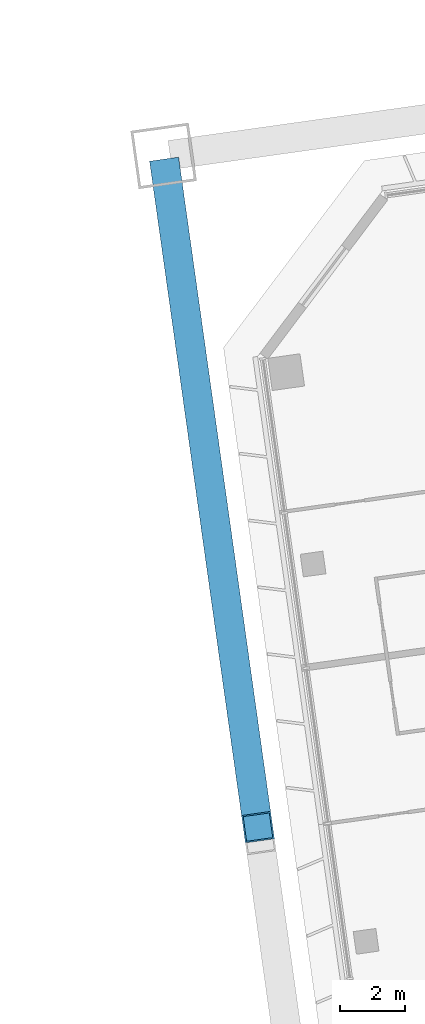
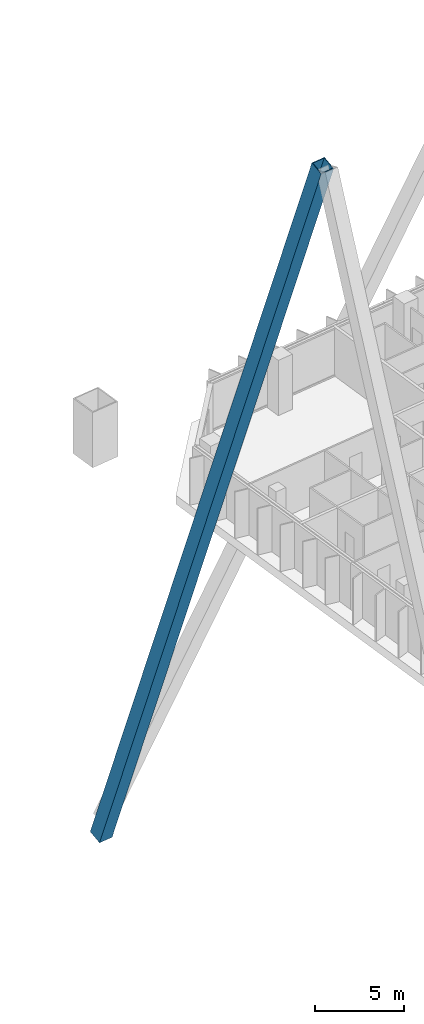
# One storey, part 24 of 49: 1 member.
"""IFC4 building model written with IfcOpenShell, lengths in metres."""

from ifc_helpers import new_model, si_unit, direction, frame, origin, origin_2d, place, context, subcontext, project, spatial, hollow_rectangle, extrude, material, material_profile, profile_set, type_object, element, save


model = new_model("IFC4")

# Units and contexts
model_context = context("Model", 3, precision=1e-05, world=origin(), true_north=direction((0.0, 1.0)))
body_context = subcontext(model_context, "Body", "Model", "MODEL_VIEW")
ifc_project = project(units=[si_unit("LENGTHUNIT", "METRE"), si_unit("AREAUNIT", "SQUARE_METRE"), si_unit("VOLUMEUNIT", "CUBIC_METRE"), si_unit("PLANEANGLEUNIT", "RADIAN"), si_unit("MASSUNIT", "GRAM", prefix="KILO")], contexts=[model_context])

# Site, building, storey
site_placement = place(None, origin())
site = spatial("IfcSite", under=ifc_project, at=site_placement, CompositionType="ELEMENT")
building_placement = place(site_placement, origin())
building = spatial("IfcBuilding", under=site, at=building_placement, Name="Mirante Cascada Hotel Towers", CompositionType="ELEMENT")
storey_placement = place(building_placement, frame((0.0, 0.0, 66.1)))
storey = spatial("IfcBuildingStorey", under=building, at=storey_placement, Name="L13", CompositionType="ELEMENT", Elevation=66.1)

# Member
ifc_material = material(Name="Steel ASTM A572 Gr 50", Category="steel")
ifc_material_profile = material_profile(ifc_material, hollow_rectangle(XDim=0.9, YDim=0.9, WallThickness=0.045, at=origin_2d()), Name="Box brace 900x900x45 ASTM A572 Gr 50")
ifc_profile_set = profile_set([ifc_material_profile], Name="Steel ASTM A572 Gr 50")
member_type = type_object("IfcMemberType", Name="Box brace 900x900x45 ASTM A572 Gr 50", PredefinedType="BRACE", material=ifc_profile_set)
member_placement = place(storey_placement, frame((25.17, 17.9965, -25.815), z_axis=(0.0465147, -0.3309684, 0.9424947), x_axis=(0.990268, 0.1391736, 0.0)))
element("IfcMember", 1, at=member_placement, inside=storey, type_object=member_type, Name="brace T2 L13 6", PredefinedType="BRACE", context=body_context, shape_type="SweptSolid", body=[
    extrude(hollow_rectangle(XDim=0.9, YDim=0.9, WallThickness=0.045, at=origin_2d()), origin(), (0.0, 0.0, 1.0), 60.7055),
])

save(model, "model.ifc")
